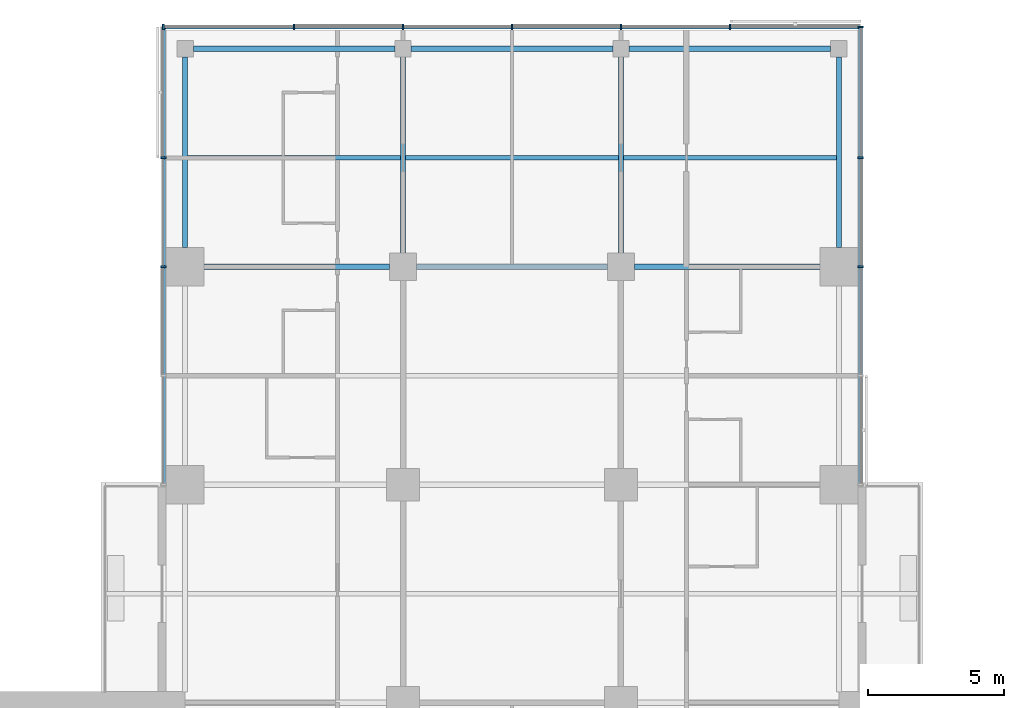
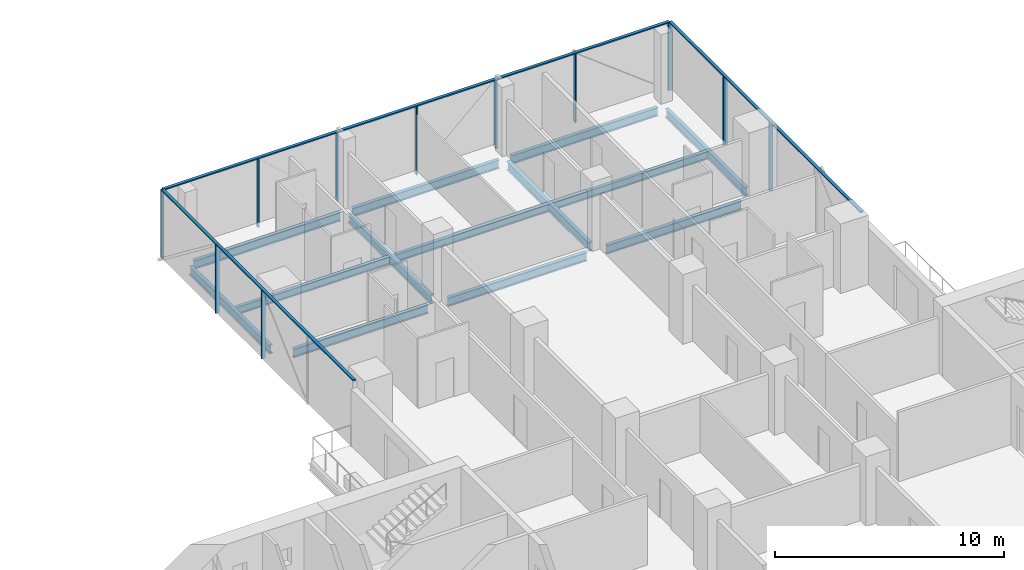
# One storey, part 12 of 27: 14 members, 13 beams, 3 elements without a shape of their own.
"""IFC4 building model written with IfcOpenShell, lengths in metres."""

import ifcopenshell
import ifcopenshell.guid

model = None  # the IFC model being written
_history = None  # IfcOwnerHistory: only IFC2X3 demands one
_inside = {}  # id of a spatial element -> (the spatial element, [elements in it])
_under = {}  # id of a project, library or spatial element -> (it, [spatial elements below it])
_declared = {}  # id of a project -> (the project, [libraries it declares])
_typed = {}  # id of a type object -> (the type object, [elements of that type])
_made_of = {}  # id of a material, layer set ... -> (it, [elements and type objects made of it])


def new_model(schema):
    """Start an empty IFC model of exactly this schema.

    Asked for "IFC4X3", IfcOpenShell would pick the latest addendum, in which some entities
    have other attributes; the version numbers below select the first issue.
    IFC2X3 requires an IfcOwnerHistory on every rooted entity: one is made here for all.
    """
    global model, _history
    if schema == "IFC4X3":
        model = ifcopenshell.file(schema_version=(4, 3, 0, 0))
    else:
        model = ifcopenshell.file(schema=schema)
    _inside.clear()
    _under.clear()
    _declared.clear()
    _typed.clear()
    _made_of.clear()
    _history = None
    if model.schema == "IFC2X3":
        org = make("IfcOrganization", Name="unknown")
        user = make(
            "IfcPersonAndOrganization",
            ThePerson=make("IfcPerson", FamilyName="unknown"),
            TheOrganization=org,
        )
        app = make(
            "IfcApplication",
            ApplicationDeveloper=org,
            Version="unknown",
            ApplicationFullName="unknown",
            ApplicationIdentifier="unknown",
        )
        _history = make(
            "IfcOwnerHistory",
            OwningUser=user,
            OwningApplication=app,
            ChangeAction="ADDED",
            CreationDate=0,
        )
    return model


def make(cls, **values):
    """One entity of the class cls with the attributes given. An attribute that is None is left unset."""
    return model.create_entity(
        cls, **{name: value for name, value in values.items() if value is not None}
    )


def rooted(cls, **values):
    """An entity with a GlobalId (a new one), such as an element, a storey or a relation."""
    return make(cls, GlobalId=ifcopenshell.guid.new(), OwnerHistory=_history, **values)


def si_unit(unit_type, name, prefix=None):
    """IfcSIUnit, for example si_unit("LENGTHUNIT", "METRE", prefix="MILLI")."""
    return make("IfcSIUnit", UnitType=unit_type, Prefix=prefix, Name=name)


def assignment(units):
    """IfcUnitAssignment: the units of a project."""
    return None if units is None else make("IfcUnitAssignment", Units=units)


def point(xyz):
    """IfcCartesianPoint."""
    return None if xyz is None else make("IfcCartesianPoint", Coordinates=xyz)


def direction(xyz):
    """IfcDirection."""
    return None if xyz is None else make("IfcDirection", DirectionRatios=xyz)


def frame(location, z_axis=None, x_axis=None):
    """IfcAxis2Placement3D, a coordinate frame: its origin and axes. An axis left out is left unset."""
    return make(
        "IfcAxis2Placement3D",
        Location=point(location),
        Axis=direction(z_axis),
        RefDirection=direction(x_axis),
    )


def frame_2d(location, x_axis=None):
    """IfcAxis2Placement2D, a coordinate frame in the plane: its origin and x axis."""
    return make(
        "IfcAxis2Placement2D", Location=point(location), RefDirection=direction(x_axis)
    )


def origin():
    """The frame at (0, 0, 0) with its axes left unset."""
    return frame((0.0, 0.0, 0.0))


def origin_2d():
    """The frame at (0, 0) in the plane with its x axis left unset."""
    return frame_2d((0.0, 0.0))


def place(relative_to, where):
    """IfcLocalPlacement: puts the frame where relative to a parent placement (None: the world)."""
    return make(
        "IfcLocalPlacement", PlacementRelTo=relative_to, RelativePlacement=where
    )


def context(
    kind, dimensions, precision=None, world=None, true_north=None, identifier=None
):
    """IfcGeometricRepresentationContext, for example the 3D "Model" context."""
    return make(
        "IfcGeometricRepresentationContext",
        ContextIdentifier=identifier,
        ContextType=kind,
        CoordinateSpaceDimension=dimensions,
        Precision=precision,
        WorldCoordinateSystem=world,
        TrueNorth=true_north,
    )


def subcontext(parent, identifier, kind, view, scale=None):
    """IfcGeometricRepresentationSubContext, for example "Body" below "Model"."""
    return make(
        "IfcGeometricRepresentationSubContext",
        ContextIdentifier=identifier,
        ContextType=kind,
        ParentContext=parent,
        TargetScale=scale,
        TargetView=view,
    )


def project(units=None, contexts=None):
    """IfcProject with its units and contexts."""
    return rooted(
        "IfcProject",
        Name="project",
        RepresentationContexts=contexts,
        UnitsInContext=assignment(units),
    )


def spatial(cls, under=None, at=None, **own):
    """A site, building, storey or space (cls), placed at a placement, below another one or the project."""
    s = rooted(cls, ObjectPlacement=at, **own)
    if under is not None:
        _under.setdefault(under.id(), (under, []))[1].append(s)
    return s


def profile(cls, at=None, kind="AREA", **sizes):
    """A parametric profile (cls). Its sizes go by their IFC names, for example OverallWidth=200.0."""
    return make(cls, ProfileType=kind, Position=at, **sizes)


def rectangle(**sizes):
    """IfcRectangleProfileDef."""
    return profile("IfcRectangleProfileDef", **sizes)


def i_section(**sizes):
    """IfcIShapeProfileDef."""
    return profile("IfcIShapeProfileDef", **sizes)


def extrude(swept, where, along, depth):
    """IfcExtrudedAreaSolid: the profile swept, set in the frame where, extruded along a direction by depth."""
    return make(
        "IfcExtrudedAreaSolid",
        SweptArea=swept,
        Position=where,
        ExtrudedDirection=direction(along),
        Depth=depth,
    )


def shape(context_of_items, identifier, shape_type, items):
    """IfcShapeRepresentation: the items that make up one representation, for example the "Body"."""
    return make(
        "IfcShapeRepresentation",
        ContextOfItems=context_of_items,
        RepresentationIdentifier=identifier,
        RepresentationType=shape_type,
        Items=items,
    )


def material(Name=None, Category=None):
    """IfcMaterial."""
    return make("IfcMaterial", Name=Name, Category=Category)


def material_profile(
    of_material, cross_section, Name=None, Category=None, Priority=None
):
    """IfcMaterialProfile: a cross section and its material."""
    return make(
        "IfcMaterialProfile",
        Name=Name,
        Material=of_material,
        Profile=cross_section,
        Priority=Priority,
        Category=Category,
    )


def profile_set(profiles, Name=None, composite=None):
    """IfcMaterialProfileSet."""
    return make(
        "IfcMaterialProfileSet",
        Name=Name,
        MaterialProfiles=profiles,
        CompositeProfile=composite,
    )


def made_of(thing, what):
    """Note that an element or type object is made of a material, layer set ...; save() writes the relation."""
    if what is not None:
        _made_of.setdefault(what.id(), (what, []))[1].append(thing)
    return thing


def type_object(cls, material=None, **own):
    """A type object (cls), such as IfcWallType, which elements share."""
    return made_of(rooted(cls, **own), material)


def element(
    cls,
    number,
    at=None,
    inside=None,
    cuts=None,
    type_object=None,
    material=None,
    context=None,
    identifier="Body",
    shape_type=None,
    held_by="IfcProductDefinitionShape",
    body=None,
    shapes=None,
    **own,
):
    """One element of the class cls, such as IfcWall. Its Tag is "e" and its number.

    at: its placement. inside: the storey or other place that contains it. cuts: it is an
    opening in that element (IfcRelVoidsElement). A single representation is given by context,
    identifier, shape_type and body (its items); several are given by shapes. held_by: the class
    of the entity that holds the representations. save() writes the other relations.
    """
    e = rooted(cls, Tag="e%d" % number, ObjectPlacement=at, **own)
    if body is not None:
        shapes = [shape(context, identifier, shape_type, body)]
    if shapes is not None:
        e.Representation = make(held_by, Representations=shapes)
    if inside is not None:
        _inside.setdefault(inside.id(), (inside, []))[1].append(e)
    if cuts is not None:
        rooted(
            "IfcRelVoidsElement", RelatingBuildingElement=cuts, RelatedOpeningElement=e
        )
    if type_object is not None:
        _typed.setdefault(type_object.id(), (type_object, []))[1].append(e)
    return made_of(e, material)


def aggregate(whole, parts):
    """IfcRelAggregates: a whole, such as a stair, and the parts it consists of."""
    return rooted("IfcRelAggregates", RelatingObject=whole, RelatedObjects=parts)


def save(model, path):
    """Write the relations noted so far, then the file.

    IfcRelAggregates (storeys below a building ...), IfcRelContainedInSpatialStructure (elements
    in a storey), IfcRelDefinesByType, IfcRelAssociatesMaterial and IfcRelDeclares: one each for
    every whole, place, type object, material and project.
    """
    for whole, parts in _under.values():
        aggregate(whole, parts)
    for where, things in _inside.values():
        rooted(
            "IfcRelContainedInSpatialStructure",
            RelatedElements=things,
            RelatingStructure=where,
        )
    for kind, things in _typed.values():
        rooted("IfcRelDefinesByType", RelatedObjects=things, RelatingType=kind)
    for what, things in _made_of.values():
        rooted("IfcRelAssociatesMaterial", RelatedObjects=things, RelatingMaterial=what)
    for by, libraries in _declared.values():
        rooted("IfcRelDeclares", RelatingContext=by, RelatedDefinitions=libraries)
    model.write(path)


model = new_model("IFC4")

# Units and contexts
model_context = context("Model", 3, precision=1e-05, world=origin(), true_north=direction((0.0, 1.0)))
body_context = subcontext(model_context, "Body", "Model", "MODEL_VIEW")
ifc_project = project(units=[si_unit("LENGTHUNIT", "METRE"), si_unit("AREAUNIT", "SQUARE_METRE"), si_unit("VOLUMEUNIT", "CUBIC_METRE"), si_unit("PLANEANGLEUNIT", "RADIAN"), si_unit("MASSUNIT", "GRAM", prefix="KILO")], contexts=[model_context])

# Site, building, storey
site_placement = place(None, origin())
site = spatial("IfcSite", under=ifc_project, at=site_placement, CompositionType="ELEMENT")
building_placement = place(site_placement, origin())
building = spatial("IfcBuilding", under=site, at=building_placement, Name="Crosswind Convention Tower", CompositionType="ELEMENT")
storey_placement = place(building_placement, frame((0.0, 0.0, 68.300048828125)))
storey = spatial("IfcBuildingStorey", under=building, at=storey_placement, Name="L11", CompositionType="ELEMENT", Elevation=68.300048828125)

# Beams
ifc_material_1 = material(Name="Steel S355", Category="steel")
ifc_material_profile_1 = material_profile(ifc_material_1, i_section(OverallWidth=0.1904296875, OverallDepth=0.457275390625, WebThickness=0.009033203125, FlangeThickness=0.014404296875, FilletRadius=0.01025390625, at=origin_2d()), Name="UB 457x191x75")
ifc_profile_set_1 = profile_set([ifc_material_profile_1], Name="Steel S355")
beam_type_1 = type_object("IfcBeamType", Name="Edge beam UB 457x191x75", PredefinedType="SPANDREL", material=ifc_profile_set_1)
beam_1_placement = place(storey_placement, frame((113.0, 128.699951171875, -0.508544921875), z_axis=(0.0, 1.0, 0.0), x_axis=(-1.0, 0.0, 0.0)))
element("IfcBeam", 1, at=beam_1_placement, inside=storey, type_object=beam_type_1, Name="B17 L11 edge beam 11", PredefinedType="SPANDREL", context=body_context, shape_type="SweptSolid", body=[
    extrude(i_section(OverallWidth=0.1904296875, OverallDepth=0.457275390625, WebThickness=0.009033203125, FlangeThickness=0.014404296875, FilletRadius=0.01025390625, at=origin_2d()), origin(), (0.0, 0.0, 1.0), 7.0),
])
for number, where, z_axis, x_axis, name in (
    (2, (113.300048828125, 136.0, -0.508544921875), (1.0, 0.0, 0.0), (0.0, 1.0, 0.0), "B17 L11 edge beam 13"),
    (3, (121.300048828125, 136.0, -0.508544921875), (1.0, 0.0, 0.0), (0.0, 1.0, 0.0), "B17 L11 edge beam 15"),
    (4, (129.300048828125, 136.0, -0.508544921875), (1.0, 0.0, 0.0), (0.0, 1.0, 0.0), "B17 L11 edge beam 17"),
):
    element("IfcBeam", number, at=place(storey_placement, frame(where, z_axis=z_axis, x_axis=x_axis)), inside=storey, type_object=beam_type_1, Name=name, PredefinedType="SPANDREL", context=body_context, shape_type="SweptSolid", body=[
        extrude(i_section(OverallWidth=0.1904296875, OverallDepth=0.457275390625, WebThickness=0.009033203125, FlangeThickness=0.014404296875, FilletRadius=0.01025390625, at=origin_2d()), origin(), (0.0, 0.0, 1.0), 7.39990234375),
    ])
beam_2_placement = place(storey_placement, frame((137.0, 128.699951171875, -0.508544921875), z_axis=(0.0, 1.0, 0.0), x_axis=(-1.0, 0.0, 0.0)))
element("IfcBeam", 5, at=beam_2_placement, inside=storey, type_object=beam_type_1, Name="B17 L11 edge beam 23", PredefinedType="SPANDREL", context=body_context, shape_type="SweptSolid", body=[
    extrude(i_section(OverallWidth=0.1904296875, OverallDepth=0.457275390625, WebThickness=0.009033203125, FlangeThickness=0.014404296875, FilletRadius=0.01025390625, at=origin_2d()), origin(), (0.0, 0.0, 1.0), 7.0),
])
ifc_material_profile_2 = material_profile(ifc_material_1, i_section(OverallWidth=0.19140625, OverallDepth=0.460205078125, WebThickness=0.010009765625, FlangeThickness=0.01611328125, FilletRadius=0.01025390625, at=origin_2d()), Name="UB 457x191x82")
ifc_profile_set_2 = profile_set([ifc_material_profile_2], Name="Steel S355")
beam_type_2 = type_object("IfcBeamType", Name="Girder UB 457x191x82", PredefinedType="BEAM", material=ifc_profile_set_2)
beam_3_placement = place(storey_placement, frame((113.699951171875, 128.0, -0.51025390625), z_axis=(1.0, 0.0, 0.0), x_axis=(0.0, 1.0, 0.0)))
element("IfcBeam", 6, at=beam_3_placement, inside=storey, type_object=beam_type_2, Name="B3 L11 girder 4", PredefinedType="BEAM", context=body_context, shape_type="SweptSolid", body=[
    extrude(i_section(OverallWidth=0.19140625, OverallDepth=0.460205078125, WebThickness=0.010009765625, FlangeThickness=0.01611328125, FilletRadius=0.01025390625, at=origin_2d()), origin(), (0.0, 0.0, 1.0), 6.800048828125),
])
beam_4_placement = place(storey_placement, frame((121.0, 128.5, -0.51025390625), z_axis=(0.0, 1.0, 0.0), x_axis=(-1.0, 0.0, 0.0)))
element("IfcBeam", 7, at=beam_4_placement, inside=storey, type_object=beam_type_2, Name="B3 L11 girder 13", PredefinedType="BEAM", context=body_context, shape_type="SweptSolid", body=[
    extrude(i_section(OverallWidth=0.19140625, OverallDepth=0.460205078125, WebThickness=0.010009765625, FlangeThickness=0.01611328125, FilletRadius=0.01025390625, at=origin_2d()), origin(), (0.0, 0.0, 1.0), 7.199951171875),
])
beam_5_placement = place(storey_placement, frame((121.5, 128.0, -0.51025390625), z_axis=(1.0, 0.0, 0.0), x_axis=(0.0, 1.0, 0.0)))
element("IfcBeam", 8, at=beam_5_placement, inside=storey, type_object=beam_type_2, Name="B3 L11 girder 15", PredefinedType="BEAM", context=body_context, shape_type="SweptSolid", body=[
    extrude(i_section(OverallWidth=0.19140625, OverallDepth=0.460205078125, WebThickness=0.010009765625, FlangeThickness=0.01611328125, FilletRadius=0.01025390625, at=origin_2d()), origin(), (0.0, 0.0, 1.0), 7.0),
])
beam_6_placement = place(storey_placement, frame((129.0, 128.5, -0.51025390625), z_axis=(0.0, 1.0, 0.0), x_axis=(-1.0, 0.0, 0.0)))
element("IfcBeam", 9, at=beam_6_placement, inside=storey, type_object=beam_type_2, Name="B3 L11 girder 30", PredefinedType="BEAM", context=body_context, shape_type="SweptSolid", body=[
    extrude(i_section(OverallWidth=0.19140625, OverallDepth=0.460205078125, WebThickness=0.010009765625, FlangeThickness=0.01611328125, FilletRadius=0.01025390625, at=origin_2d()), origin(), (0.0, 0.0, 1.0), 7.199951171875),
])
beam_7_placement = place(storey_placement, frame((129.5, 128.0, -0.51025390625), z_axis=(1.0, 0.0, 0.0), x_axis=(0.0, 1.0, 0.0)))
element("IfcBeam", 10, at=beam_7_placement, inside=storey, type_object=beam_type_2, Name="B3 L11 girder 32", PredefinedType="BEAM", context=body_context, shape_type="SweptSolid", body=[
    extrude(i_section(OverallWidth=0.19140625, OverallDepth=0.460205078125, WebThickness=0.010009765625, FlangeThickness=0.01611328125, FilletRadius=0.01025390625, at=origin_2d()), origin(), (0.0, 0.0, 1.0), 6.800048828125),
])

# Curtain wall, members
ifc_material_2 = material(Name="Aluminium unitised curtain wall", Category="aluminium")
curtain_wall_type = type_object("IfcCurtainWallType", Name="HOTEL UNITISED WALL 200", PredefinedType="USERDEFINED", material=ifc_material_2)
curtain_wall_1_placement = place(storey_placement, origin())
curtain_wall_1 = element("IfcCurtainWall", 11, at=curtain_wall_1_placement, inside=storey, type_object=curtain_wall_type, Name="CW2 L11 N-E 1", ObjectType="UNITISED", PredefinedType="USERDEFINED")
ifc_material_3 = material(Name="Aluminium mullion", Category="aluminium")
ifc_material_profile_3 = material_profile(ifc_material_3, rectangle(XDim=0.199951171875, YDim=0.06494140625, at=origin_2d()), Name="AL 200X65")
ifc_profile_set_3 = profile_set([ifc_material_profile_3], Name="Aluminium mullion")
member_type_1 = type_object("IfcMemberType", Name="MULLION 65X200", PredefinedType="MULLION", material=ifc_profile_set_3)
member_1_placement = place(storey_placement, frame((137.800048828125, 128.0, -0.280029296875), z_axis=(0.0, 0.0, 1.0), x_axis=(1.0, 0.0, 0.0)))
member_1 = element("IfcMember", 12, at=member_1_placement, type_object=member_type_1, Name="CW2 mullion 3", PredefinedType="MULLION", context=body_context, shape_type="SweptSolid", body=[
    extrude(rectangle(XDim=0.199951171875, YDim=0.06494140625, at=origin_2d()), origin(), (0.0, 0.0, 1.0), 3.635009765625),
])
member_2_placement = place(storey_placement, frame((137.800048828125, 132.0, -0.280029296875), z_axis=(0.0, 0.0, 1.0), x_axis=(1.0, 0.0, 0.0)))
member_2 = element("IfcMember", 13, at=member_2_placement, type_object=member_type_1, Name="CW2 mullion 4", PredefinedType="MULLION", context=body_context, shape_type="SweptSolid", body=[
    extrude(rectangle(XDim=0.199951171875, YDim=0.06494140625, at=origin_2d()), origin(), (0.0, 0.0, 1.0), 3.635009765625),
])
member_3_placement = place(storey_placement, frame((137.800048828125, 136.800048828125, -0.280029296875), z_axis=(0.0, 0.0, 1.0), x_axis=(1.0, 0.0, 0.0)))
member_3 = element("IfcMember", 14, at=member_3_placement, type_object=member_type_1, Name="CW2 mullion 5", PredefinedType="MULLION", context=body_context, shape_type="SweptSolid", body=[
    extrude(rectangle(XDim=0.199951171875, YDim=0.06494140625, at=origin_2d()), origin(), (0.0, 0.0, 1.0), 3.635009765625),
])

curtain_wall_2_placement = place(storey_placement, origin())
curtain_wall_2 = element("IfcCurtainWall", 15, at=curtain_wall_2_placement, inside=storey, type_object=curtain_wall_type, Name="CW2 L11 N-TIP 1", ObjectType="UNITISED", PredefinedType="USERDEFINED")
member_4_placement = place(storey_placement, frame((133.0, 136.800048828125, -0.280029296875), z_axis=(0.0, 0.0, 1.0), x_axis=(0.0, 1.0, 0.0)))
member_4 = element("IfcMember", 16, at=member_4_placement, type_object=member_type_1, Name="CW2 mullion 2", PredefinedType="MULLION", context=body_context, shape_type="SweptSolid", body=[
    extrude(rectangle(XDim=0.199951171875, YDim=0.06494140625, at=origin_2d()), origin(), (0.0, 0.0, 1.0), 3.635009765625),
])
member_5_placement = place(storey_placement, frame((129.0, 136.800048828125, -0.280029296875), z_axis=(0.0, 0.0, 1.0), x_axis=(0.0, 1.0, 0.0)))
member_5 = element("IfcMember", 17, at=member_5_placement, type_object=member_type_1, Name="CW2 mullion 3", PredefinedType="MULLION", context=body_context, shape_type="SweptSolid", body=[
    extrude(rectangle(XDim=0.199951171875, YDim=0.06494140625, at=origin_2d()), origin(), (0.0, 0.0, 1.0), 3.635009765625),
])
member_6_placement = place(storey_placement, frame((125.0, 136.800048828125, -0.280029296875), z_axis=(0.0, 0.0, 1.0), x_axis=(0.0, 1.0, 0.0)))
member_6 = element("IfcMember", 18, at=member_6_placement, type_object=member_type_1, Name="CW2 mullion 4", PredefinedType="MULLION", context=body_context, shape_type="SweptSolid", body=[
    extrude(rectangle(XDim=0.199951171875, YDim=0.06494140625, at=origin_2d()), origin(), (0.0, 0.0, 1.0), 3.635009765625),
])
member_7_placement = place(storey_placement, frame((121.0, 136.800048828125, -0.280029296875), z_axis=(0.0, 0.0, 1.0), x_axis=(0.0, 1.0, 0.0)))
member_7 = element("IfcMember", 19, at=member_7_placement, type_object=member_type_1, Name="CW2 mullion 5", PredefinedType="MULLION", context=body_context, shape_type="SweptSolid", body=[
    extrude(rectangle(XDim=0.199951171875, YDim=0.06494140625, at=origin_2d()), origin(), (0.0, 0.0, 1.0), 3.635009765625),
])
member_8_placement = place(storey_placement, frame((117.0, 136.800048828125, -0.280029296875), z_axis=(0.0, 0.0, 1.0), x_axis=(0.0, 1.0, 0.0)))
member_8 = element("IfcMember", 20, at=member_8_placement, type_object=member_type_1, Name="CW2 mullion 6", PredefinedType="MULLION", context=body_context, shape_type="SweptSolid", body=[
    extrude(rectangle(XDim=0.199951171875, YDim=0.06494140625, at=origin_2d()), origin(), (0.0, 0.0, 1.0), 3.635009765625),
])
member_9_placement = place(storey_placement, frame((112.199951171875, 136.800048828125, -0.280029296875), z_axis=(0.0, 0.0, 1.0), x_axis=(0.0, 1.0, 0.0)))
member_9 = element("IfcMember", 21, at=member_9_placement, type_object=member_type_1, Name="CW2 mullion 7", PredefinedType="MULLION", context=body_context, shape_type="SweptSolid", body=[
    extrude(rectangle(XDim=0.199951171875, YDim=0.06494140625, at=origin_2d()), origin(), (0.0, 0.0, 1.0), 3.635009765625),
])

curtain_wall_3_placement = place(storey_placement, origin())
curtain_wall_3 = element("IfcCurtainWall", 22, at=curtain_wall_3_placement, inside=storey, type_object=curtain_wall_type, Name="CW2 L11 N-W 1", ObjectType="UNITISED", PredefinedType="USERDEFINED")
member_10_placement = place(storey_placement, frame((112.199951171875, 132.0, -0.280029296875), z_axis=(0.0, 0.0, 1.0), x_axis=(-1.0, 0.0, 0.0)))
member_10 = element("IfcMember", 23, at=member_10_placement, type_object=member_type_1, Name="CW2 mullion 2", PredefinedType="MULLION", context=body_context, shape_type="SweptSolid", body=[
    extrude(rectangle(XDim=0.199951171875, YDim=0.06494140625, at=origin_2d()), origin(), (0.0, 0.0, 1.0), 3.635009765625),
])
member_11_placement = place(storey_placement, frame((112.199951171875, 128.0, -0.280029296875), z_axis=(0.0, 0.0, 1.0), x_axis=(-1.0, 0.0, 0.0)))
member_11 = element("IfcMember", 24, at=member_11_placement, type_object=member_type_1, Name="CW2 mullion 3", PredefinedType="MULLION", context=body_context, shape_type="SweptSolid", body=[
    extrude(rectangle(XDim=0.199951171875, YDim=0.06494140625, at=origin_2d()), origin(), (0.0, 0.0, 1.0), 3.635009765625),
])

# Beams
ifc_material_profile_4 = material_profile(ifc_material_1, i_section(OverallWidth=0.177734375, OverallDepth=0.406494140625, WebThickness=0.0078125, FlangeThickness=0.0126953125, FilletRadius=0.01025390625, at=origin_2d()), Name="UB 406x178x60")
ifc_profile_set_4 = profile_set([ifc_material_profile_4], Name="Steel S355")
beam_type_3 = type_object("IfcBeamType", Name="Secondary beam UB 406x178x60", PredefinedType="JOIST", material=ifc_profile_set_4)
beam_8_placement = place(storey_placement, frame((113.09521484375, 132.0, -0.483154296875), z_axis=(1.0, 0.0, 0.0), x_axis=(0.0, 1.0, 0.0)))
element("IfcBeam", 25, at=beam_8_placement, inside=storey, type_object=beam_type_3, Name="B10 L11 secondary beam 12", PredefinedType="JOIST", context=body_context, shape_type="SweptSolid", body=[
    extrude(i_section(OverallWidth=0.177734375, OverallDepth=0.406494140625, WebThickness=0.0078125, FlangeThickness=0.0126953125, FilletRadius=0.01025390625, at=origin_2d()), origin(), (0.0, 0.0, 1.0), 7.80908203125),
])
beam_9_placement = place(storey_placement, frame((121.095703125, 132.0, -0.483154296875), z_axis=(1.0, 0.0, 0.0), x_axis=(0.0, 1.0, 0.0)))
element("IfcBeam", 26, at=beam_9_placement, inside=storey, type_object=beam_type_3, Name="B10 L11 secondary beam 21", PredefinedType="JOIST", context=body_context, shape_type="SweptSolid", body=[
    extrude(i_section(OverallWidth=0.177734375, OverallDepth=0.406494140625, WebThickness=0.0078125, FlangeThickness=0.0126953125, FilletRadius=0.01025390625, at=origin_2d()), origin(), (0.0, 0.0, 1.0), 7.80859375),
])
beam_10_placement = place(storey_placement, frame((129.095703125, 132.0, -0.483154296875), z_axis=(1.0, 0.0, 0.0), x_axis=(0.0, 1.0, 0.0)))
element("IfcBeam", 27, at=beam_10_placement, inside=storey, type_object=beam_type_3, Name="B10 L11 secondary beam 30", PredefinedType="JOIST", context=body_context, shape_type="SweptSolid", body=[
    extrude(i_section(OverallWidth=0.177734375, OverallDepth=0.406494140625, WebThickness=0.0078125, FlangeThickness=0.0126953125, FilletRadius=0.01025390625, at=origin_2d()), origin(), (0.0, 0.0, 1.0), 7.80908203125),
])

# Member
ifc_material_4 = material(Name="Aluminium transom", Category="aluminium")
ifc_material_profile_5 = material_profile(ifc_material_4, rectangle(XDim=0.14990234375, YDim=0.06494140625, at=origin_2d()), Name="AL 150X65")
ifc_profile_set_5 = profile_set([ifc_material_profile_5], Name="Aluminium transom")
member_type_2 = type_object("IfcMemberType", Name="TRANSOM 65X150", PredefinedType="USERDEFINED", material=ifc_profile_set_5)
member_12_placement = place(storey_placement, frame((137.800048828125, 120.032470703125, 3.387451171875), z_axis=(0.0, 1.0, 0.0), x_axis=(-1.0, 0.0, 0.0)))
member_12 = element("IfcMember", 28, at=member_12_placement, type_object=member_type_2, Name="CW2 transom", ObjectType="TRANSOM", PredefinedType="USERDEFINED", context=body_context, shape_type="SweptSolid", body=[
    extrude(rectangle(XDim=0.14990234375, YDim=0.06494140625, at=origin_2d()), origin(), (0.0, 0.0, 1.0), 16.735107421875),
])

aggregate(curtain_wall_1, [member_1, member_2, member_3, member_12])

member_13_placement = place(storey_placement, frame((137.767578125, 136.800048828125, 3.387451171875), z_axis=(-1.0, 0.0, 0.0), x_axis=(0.0, -1.0, 0.0)))
member_13 = element("IfcMember", 29, at=member_13_placement, type_object=member_type_2, Name="CW2 transom", ObjectType="TRANSOM", PredefinedType="USERDEFINED", context=body_context, shape_type="SweptSolid", body=[
    extrude(rectangle(XDim=0.14990234375, YDim=0.06494140625, at=origin_2d()), origin(), (0.0, 0.0, 1.0), 25.53515625),
])

aggregate(curtain_wall_2, [member_4, member_5, member_6, member_7, member_8, member_9, member_13])

member_14_placement = place(storey_placement, frame((112.199951171875, 136.767578125, 3.387451171875), z_axis=(0.0, -1.0, 0.0), x_axis=(1.0, 0.0, 0.0)))
member_14 = element("IfcMember", 30, at=member_14_placement, type_object=member_type_2, Name="CW2 transom", ObjectType="TRANSOM", PredefinedType="USERDEFINED", context=body_context, shape_type="SweptSolid", body=[
    extrude(rectangle(XDim=0.14990234375, YDim=0.06494140625, at=origin_2d()), origin(), (0.0, 0.0, 1.0), 16.735107421875),
])

aggregate(curtain_wall_3, [member_10, member_11, member_14])

save(model, "model.ifc")
